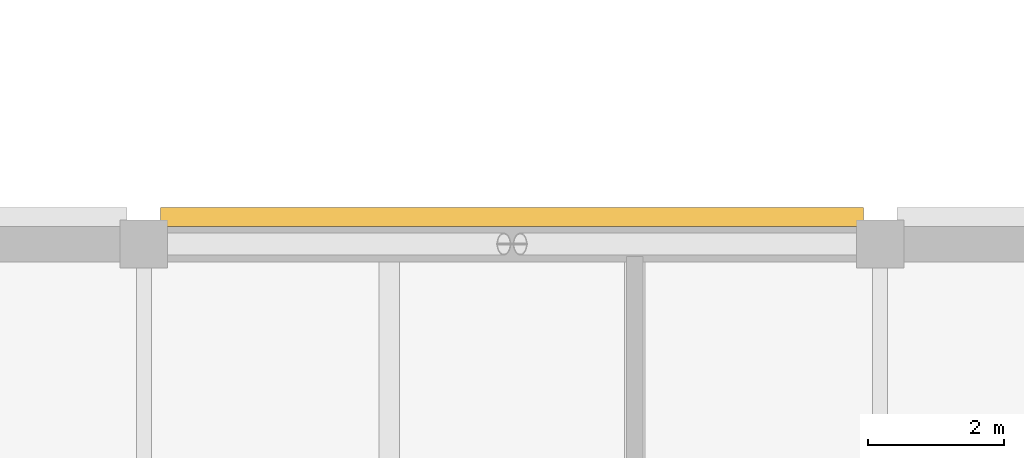
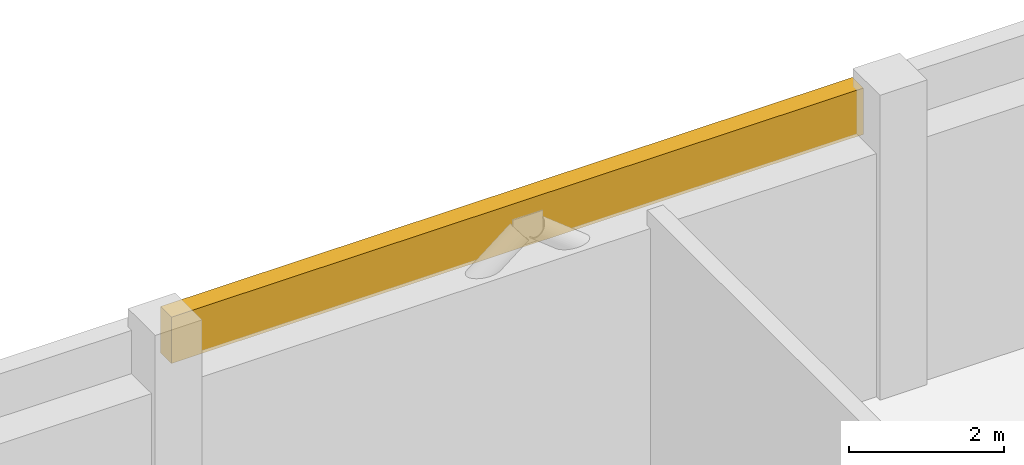
# One storey, part 87 of 92: 1 covering.
"""IFC4 building model written with IfcOpenShell, lengths in metres."""

from ifc_helpers import new_model, si_unit, direction, frame, origin, origin_2d, place, context, subcontext, project, spatial, rectangle, extrude, material, layer, layer_set, type_object, element, save


model = new_model("IFC4")

# Units and contexts
model_context = context("Model", 3, precision=1e-05, world=origin(), true_north=direction((0.0, 1.0)))
body_context = subcontext(model_context, "Body", "Model", "MODEL_VIEW")
ifc_project = project(units=[si_unit("LENGTHUNIT", "METRE"), si_unit("AREAUNIT", "SQUARE_METRE"), si_unit("VOLUMEUNIT", "CUBIC_METRE"), si_unit("PLANEANGLEUNIT", "RADIAN"), si_unit("MASSUNIT", "GRAM", prefix="KILO")], contexts=[model_context])

# Site, building, storey
site_placement = place(None, origin())
site = spatial("IfcSite", under=ifc_project, at=site_placement, CompositionType="ELEMENT")
building_placement = place(site_placement, origin())
building = spatial("IfcBuilding", under=site, at=building_placement, Name="Tasgan Crest Museum", CompositionType="ELEMENT")
storey_placement = place(building_placement, frame((0.0, 0.0, 4.800048828125)))
storey = spatial("IfcBuildingStorey", under=building, at=storey_placement, Name="L01", CompositionType="ELEMENT", Elevation=4.800048828125)

# Covering
ifc_material = material(Name="Honed Buff Limestone", Category="masonry")
ifc_layer = layer(ifc_material, 0.044921875, Name="COV-LIMESTONE-BUFF")
ifc_layer_set = layer_set([ifc_layer], Name="Honed Buff Limestone")
covering_type = type_object("IfcCoveringType", Name="COV-LIMESTONE-BUFF", PredefinedType="CLADDING", material=ifc_layer_set)
covering_placement = place(storey_placement, frame((124.199951171875, 62.39990234375, 3.780029296875), z_axis=(0.0, 0.0, 1.0), x_axis=(-1.0, 0.0, 0.0)))
element("IfcCovering", 1, at=covering_placement, inside=storey, type_object=covering_type, Name="Stone frieze cladding L01", PredefinedType="CLADDING", context=body_context, shape_type="SweptSolid", body=[
    extrude(rectangle(XDim=10.31005859375, YDim=0.280029296875, at=origin_2d()), origin(), (0.0, 0.0, 1.0), 0.72998046875),
])

save(model, "model.ifc")
